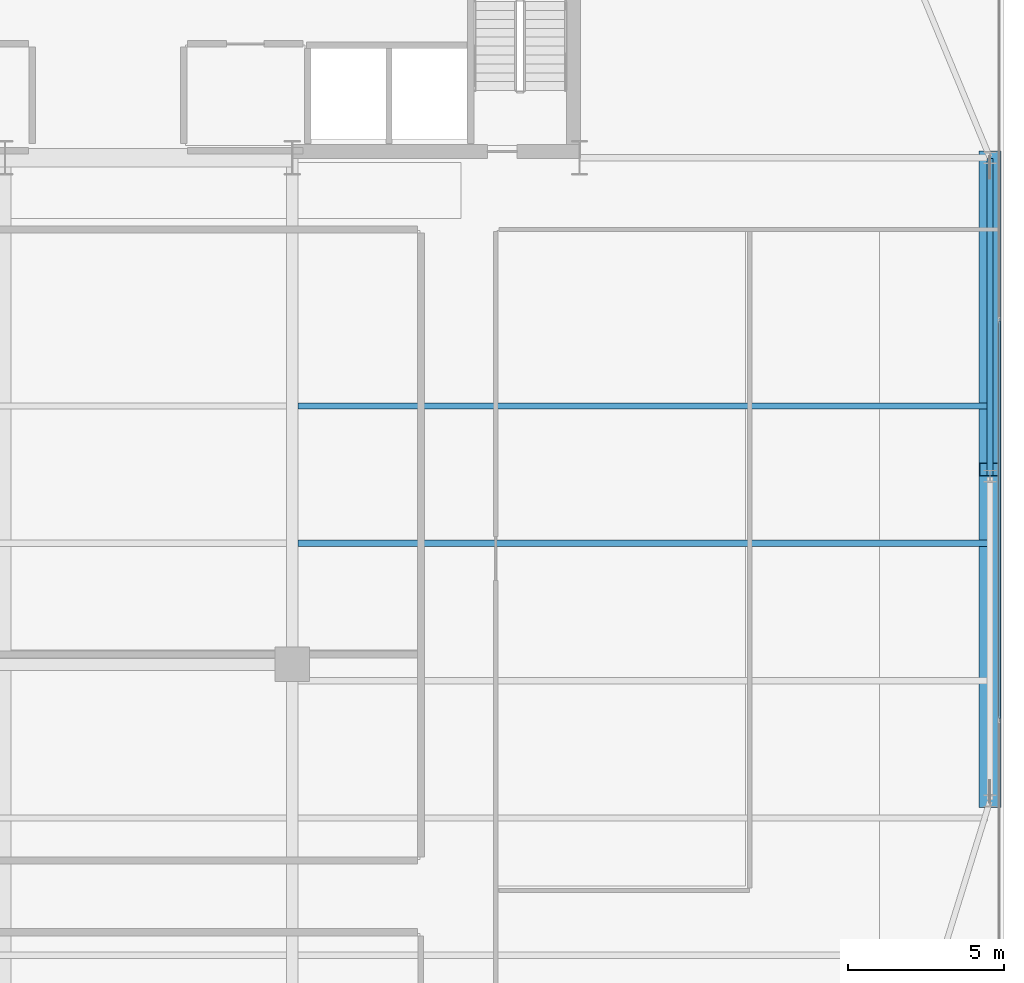
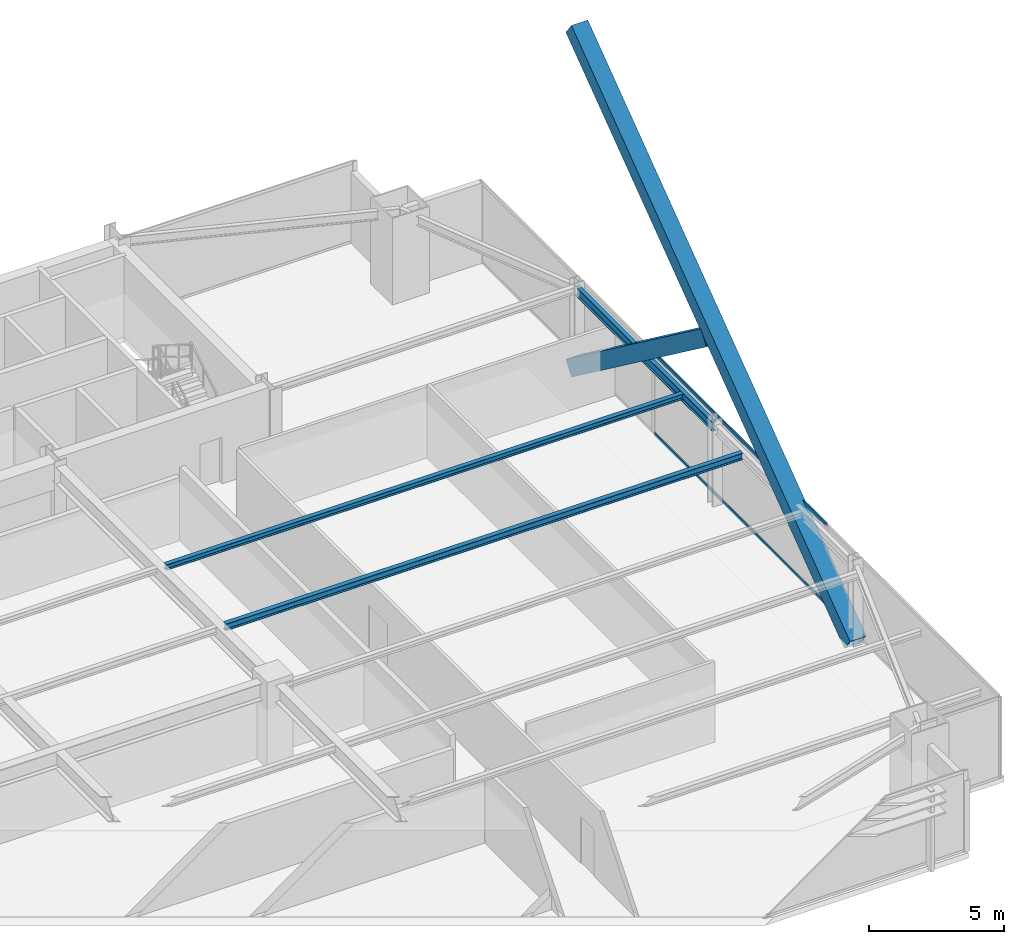
# One storey, part 18 of 32: 4 members, 3 beams, 1 element without a shape of its own.
"""IFC4 building model written with IfcOpenShell, lengths in metres."""

import ifcopenshell
import ifcopenshell.guid

model = None  # the IFC model being written
_history = None  # IfcOwnerHistory: only IFC2X3 demands one
_inside = {}  # id of a spatial element -> (the spatial element, [elements in it])
_under = {}  # id of a project, library or spatial element -> (it, [spatial elements below it])
_declared = {}  # id of a project -> (the project, [libraries it declares])
_typed = {}  # id of a type object -> (the type object, [elements of that type])
_made_of = {}  # id of a material, layer set ... -> (it, [elements and type objects made of it])


def new_model(schema):
    """Start an empty IFC model of exactly this schema.

    Asked for "IFC4X3", IfcOpenShell would pick the latest addendum, in which some entities
    have other attributes; the version numbers below select the first issue.
    IFC2X3 requires an IfcOwnerHistory on every rooted entity: one is made here for all.
    """
    global model, _history
    if schema == "IFC4X3":
        model = ifcopenshell.file(schema_version=(4, 3, 0, 0))
    else:
        model = ifcopenshell.file(schema=schema)
    _inside.clear()
    _under.clear()
    _declared.clear()
    _typed.clear()
    _made_of.clear()
    _history = None
    if model.schema == "IFC2X3":
        org = make("IfcOrganization", Name="unknown")
        user = make(
            "IfcPersonAndOrganization",
            ThePerson=make("IfcPerson", FamilyName="unknown"),
            TheOrganization=org,
        )
        app = make(
            "IfcApplication",
            ApplicationDeveloper=org,
            Version="unknown",
            ApplicationFullName="unknown",
            ApplicationIdentifier="unknown",
        )
        _history = make(
            "IfcOwnerHistory",
            OwningUser=user,
            OwningApplication=app,
            ChangeAction="ADDED",
            CreationDate=0,
        )
    return model


def make(cls, **values):
    """One entity of the class cls with the attributes given. An attribute that is None is left unset."""
    return model.create_entity(
        cls, **{name: value for name, value in values.items() if value is not None}
    )


def rooted(cls, **values):
    """An entity with a GlobalId (a new one), such as an element, a storey or a relation."""
    return make(cls, GlobalId=ifcopenshell.guid.new(), OwnerHistory=_history, **values)


def si_unit(unit_type, name, prefix=None):
    """IfcSIUnit, for example si_unit("LENGTHUNIT", "METRE", prefix="MILLI")."""
    return make("IfcSIUnit", UnitType=unit_type, Prefix=prefix, Name=name)


def assignment(units):
    """IfcUnitAssignment: the units of a project."""
    return None if units is None else make("IfcUnitAssignment", Units=units)


def point(xyz):
    """IfcCartesianPoint."""
    return None if xyz is None else make("IfcCartesianPoint", Coordinates=xyz)


def direction(xyz):
    """IfcDirection."""
    return None if xyz is None else make("IfcDirection", DirectionRatios=xyz)


def frame(location, z_axis=None, x_axis=None):
    """IfcAxis2Placement3D, a coordinate frame: its origin and axes. An axis left out is left unset."""
    return make(
        "IfcAxis2Placement3D",
        Location=point(location),
        Axis=direction(z_axis),
        RefDirection=direction(x_axis),
    )


def frame_2d(location, x_axis=None):
    """IfcAxis2Placement2D, a coordinate frame in the plane: its origin and x axis."""
    return make(
        "IfcAxis2Placement2D", Location=point(location), RefDirection=direction(x_axis)
    )


def origin():
    """The frame at (0, 0, 0) with its axes left unset."""
    return frame((0.0, 0.0, 0.0))


def origin_2d():
    """The frame at (0, 0) in the plane with its x axis left unset."""
    return frame_2d((0.0, 0.0))


def place(relative_to, where):
    """IfcLocalPlacement: puts the frame where relative to a parent placement (None: the world)."""
    return make(
        "IfcLocalPlacement", PlacementRelTo=relative_to, RelativePlacement=where
    )


def context(
    kind, dimensions, precision=None, world=None, true_north=None, identifier=None
):
    """IfcGeometricRepresentationContext, for example the 3D "Model" context."""
    return make(
        "IfcGeometricRepresentationContext",
        ContextIdentifier=identifier,
        ContextType=kind,
        CoordinateSpaceDimension=dimensions,
        Precision=precision,
        WorldCoordinateSystem=world,
        TrueNorth=true_north,
    )


def subcontext(parent, identifier, kind, view, scale=None):
    """IfcGeometricRepresentationSubContext, for example "Body" below "Model"."""
    return make(
        "IfcGeometricRepresentationSubContext",
        ContextIdentifier=identifier,
        ContextType=kind,
        ParentContext=parent,
        TargetScale=scale,
        TargetView=view,
    )


def project(units=None, contexts=None):
    """IfcProject with its units and contexts."""
    return rooted(
        "IfcProject",
        Name="project",
        RepresentationContexts=contexts,
        UnitsInContext=assignment(units),
    )


def spatial(cls, under=None, at=None, **own):
    """A site, building, storey or space (cls), placed at a placement, below another one or the project."""
    s = rooted(cls, ObjectPlacement=at, **own)
    if under is not None:
        _under.setdefault(under.id(), (under, []))[1].append(s)
    return s


def profile(cls, at=None, kind="AREA", **sizes):
    """A parametric profile (cls). Its sizes go by their IFC names, for example OverallWidth=200.0."""
    return make(cls, ProfileType=kind, Position=at, **sizes)


def hollow_rectangle(**sizes):
    """IfcRectangleHollowProfileDef."""
    return profile("IfcRectangleHollowProfileDef", **sizes)


def i_section(**sizes):
    """IfcIShapeProfileDef."""
    return profile("IfcIShapeProfileDef", **sizes)


def extrude(swept, where, along, depth):
    """IfcExtrudedAreaSolid: the profile swept, set in the frame where, extruded along a direction by depth."""
    return make(
        "IfcExtrudedAreaSolid",
        SweptArea=swept,
        Position=where,
        ExtrudedDirection=direction(along),
        Depth=depth,
    )


def shape(context_of_items, identifier, shape_type, items):
    """IfcShapeRepresentation: the items that make up one representation, for example the "Body"."""
    return make(
        "IfcShapeRepresentation",
        ContextOfItems=context_of_items,
        RepresentationIdentifier=identifier,
        RepresentationType=shape_type,
        Items=items,
    )


def source(mapping_origin, context_of_items, identifier, shape_type, items):
    """IfcRepresentationMap: a shape defined once, which mapped items show again and again."""
    return make(
        "IfcRepresentationMap",
        MappingOrigin=mapping_origin,
        MappedRepresentation=shape(context_of_items, identifier, shape_type, items),
    )


def transform(
    local_origin,
    x_axis=None,
    y_axis=None,
    z_axis=None,
    scale=None,
    scale2=None,
    scale3=None,
    uniform=True,
):
    """IfcCartesianTransformationOperator3D, or its non-uniform kind. x_axis, y_axis, z_axis: its Axis1, 2, 3."""
    if uniform:
        return make(
            "IfcCartesianTransformationOperator3D",
            Axis1=direction(x_axis),
            Axis2=direction(y_axis),
            LocalOrigin=point(local_origin),
            Scale=scale,
            Axis3=direction(z_axis),
        )
    return make(
        "IfcCartesianTransformationOperator3DnonUniform",
        Axis1=direction(x_axis),
        Axis2=direction(y_axis),
        LocalOrigin=point(local_origin),
        Scale=scale,
        Axis3=direction(z_axis),
        Scale2=scale2,
        Scale3=scale3,
    )


def mapped(mapping_source, mapping_target):
    """IfcMappedItem: shows the shape of a source again, moved by a transform."""
    return make(
        "IfcMappedItem", MappingSource=mapping_source, MappingTarget=mapping_target
    )


def material(Name=None, Category=None):
    """IfcMaterial."""
    return make("IfcMaterial", Name=Name, Category=Category)


def layer(
    of_material, thickness, ventilated=None, Name=None, Category=None, Priority=None
):
    """IfcMaterialLayer: one layer of a wall or slab, of a material (None: an air gap)."""
    return make(
        "IfcMaterialLayer",
        Material=of_material,
        LayerThickness=thickness,
        IsVentilated=ventilated,
        Name=Name,
        Category=Category,
        Priority=Priority,
    )


def layer_set(layers, Name=None):
    """IfcMaterialLayerSet."""
    return make("IfcMaterialLayerSet", MaterialLayers=layers, LayerSetName=Name)


def material_profile(
    of_material, cross_section, Name=None, Category=None, Priority=None
):
    """IfcMaterialProfile: a cross section and its material."""
    return make(
        "IfcMaterialProfile",
        Name=Name,
        Material=of_material,
        Profile=cross_section,
        Priority=Priority,
        Category=Category,
    )


def profile_set(profiles, Name=None, composite=None):
    """IfcMaterialProfileSet."""
    return make(
        "IfcMaterialProfileSet",
        Name=Name,
        MaterialProfiles=profiles,
        CompositeProfile=composite,
    )


def made_of(thing, what):
    """Note that an element or type object is made of a material, layer set ...; save() writes the relation."""
    if what is not None:
        _made_of.setdefault(what.id(), (what, []))[1].append(thing)
    return thing


def type_object(cls, material=None, **own):
    """A type object (cls), such as IfcWallType, which elements share."""
    return made_of(rooted(cls, **own), material)


def type_shapes(of_type, sources):
    """Give a type object the sources (RepresentationMaps) that its elements show as mapped items."""
    of_type.RepresentationMaps = sources


def element(
    cls,
    number,
    at=None,
    inside=None,
    cuts=None,
    type_object=None,
    material=None,
    context=None,
    identifier="Body",
    shape_type=None,
    held_by="IfcProductDefinitionShape",
    body=None,
    shapes=None,
    **own,
):
    """One element of the class cls, such as IfcWall. Its Tag is "e" and its number.

    at: its placement. inside: the storey or other place that contains it. cuts: it is an
    opening in that element (IfcRelVoidsElement). A single representation is given by context,
    identifier, shape_type and body (its items); several are given by shapes. held_by: the class
    of the entity that holds the representations. save() writes the other relations.
    """
    e = rooted(cls, Tag="e%d" % number, ObjectPlacement=at, **own)
    if body is not None:
        shapes = [shape(context, identifier, shape_type, body)]
    if shapes is not None:
        e.Representation = make(held_by, Representations=shapes)
    if inside is not None:
        _inside.setdefault(inside.id(), (inside, []))[1].append(e)
    if cuts is not None:
        rooted(
            "IfcRelVoidsElement", RelatingBuildingElement=cuts, RelatedOpeningElement=e
        )
    if type_object is not None:
        _typed.setdefault(type_object.id(), (type_object, []))[1].append(e)
    return made_of(e, material)


def aggregate(whole, parts):
    """IfcRelAggregates: a whole, such as a stair, and the parts it consists of."""
    return rooted("IfcRelAggregates", RelatingObject=whole, RelatedObjects=parts)


def save(model, path):
    """Write the relations noted so far, then the file.

    IfcRelAggregates (storeys below a building ...), IfcRelContainedInSpatialStructure (elements
    in a storey), IfcRelDefinesByType, IfcRelAssociatesMaterial and IfcRelDeclares: one each for
    every whole, place, type object, material and project.
    """
    for whole, parts in _under.values():
        aggregate(whole, parts)
    for where, things in _inside.values():
        rooted(
            "IfcRelContainedInSpatialStructure",
            RelatedElements=things,
            RelatingStructure=where,
        )
    for kind, things in _typed.values():
        rooted("IfcRelDefinesByType", RelatedObjects=things, RelatingType=kind)
    for what, things in _made_of.values():
        rooted("IfcRelAssociatesMaterial", RelatedObjects=things, RelatingMaterial=what)
    for by, libraries in _declared.values():
        rooted("IfcRelDeclares", RelatingContext=by, RelatedDefinitions=libraries)
    model.write(path)


model = new_model("IFC4")

# Units and contexts
model_context = context("Model", 3, precision=1e-05, world=origin(), true_north=direction((0.0, 1.0)))
body_context = subcontext(model_context, "Body", "Model", "MODEL_VIEW")
ifc_project = project(units=[si_unit("LENGTHUNIT", "METRE"), si_unit("AREAUNIT", "SQUARE_METRE"), si_unit("VOLUMEUNIT", "CUBIC_METRE"), si_unit("PLANEANGLEUNIT", "RADIAN"), si_unit("MASSUNIT", "GRAM", prefix="KILO")], contexts=[model_context])

# Site, building, storey
site_placement = place(None, origin())
site = spatial("IfcSite", under=ifc_project, at=site_placement, CompositionType="ELEMENT")
building_placement = place(site_placement, origin())
building = spatial("IfcBuilding", under=site, at=building_placement, Name="Varnel Quay Broadcast Tower", CompositionType="ELEMENT")
storey_placement = place(building_placement, frame((0.0, 0.0, 43.199951171875)))
storey = spatial("IfcBuildingStorey", under=building, at=storey_placement, Name="L09", CompositionType="ELEMENT", Elevation=43.199951171875)

# Beams
ifc_material_1 = material(Name="Structural Steel CSA G40.21 350W", Category="steel")
ifc_material_profile_1 = material_profile(ifc_material_1, i_section(OverallWidth=0.180908203125, OverallDepth=0.4169921875, WebThickness=0.010986328125, FlangeThickness=0.018310546875, FilletRadius=0.011962890625, at=origin_2d()), Name="W410X85")
ifc_profile_set_1 = profile_set([ifc_material_profile_1], Name="Structural Steel CSA G40.21 350W")
beam_type_1 = type_object("IfcBeamType", Name="Beam_W410X85", PredefinedType="SPANDREL", material=ifc_profile_set_1)
shared_shape_1 = source(origin(), body_context, "Body", "SweptSolid", [
    extrude(i_section(OverallWidth=0.180908203125, OverallDepth=0.4169921875, WebThickness=0.010986328125, FlangeThickness=0.018310546875, FilletRadius=0.011962890625, at=origin_2d()), origin(), (0.0, 0.0, 1.0), 10.16015625),
])
type_shapes(beam_type_1, [shared_shape_1])
beam_1_placement = place(storey_placement, frame((65.550048828125, 25.419921875, 3.441650390625), z_axis=(0.0, 1.0, 0.0), x_axis=(-1.0, 0.0, 0.0)))
element("IfcBeam", 1, at=beam_1_placement, inside=storey, type_object=beam_type_1, Name="L09 East Spandrel TC-E2-TC-E3", PredefinedType="SPANDREL", context=body_context, shape_type="MappedRepresentation", body=[
    mapped(shared_shape_1, transform((0.0, 0.0, 0.0), x_axis=(1.0, 0.0, 0.0), y_axis=(0.0, 1.0, 0.0), z_axis=(0.0, 0.0, 1.0), scale=1.0)),
])
ifc_material_profile_2 = material_profile(ifc_material_1, i_section(OverallWidth=0.202880859375, OverallDepth=0.302978515625, WebThickness=0.007568359375, FlangeThickness=0.01318359375, FilletRadius=0.011962890625, at=origin_2d()), Name="W310X60")
ifc_profile_set_2 = profile_set([ifc_material_profile_2], Name="Structural Steel CSA G40.21 350W")
beam_type_2 = type_object("IfcBeamType", Name="Beam_W310X60", PredefinedType="JOIST", material=ifc_profile_set_2)
shared_shape_2 = source(origin(), body_context, "Body", "SweptSolid", [
    extrude(i_section(OverallWidth=0.202880859375, OverallDepth=0.302978515625, WebThickness=0.007568359375, FlangeThickness=0.01318359375, FilletRadius=0.011962890625, at=origin_2d()), origin(), (0.0, 0.0, 1.0), 22.0791015625),
])
type_shapes(beam_type_2, [shared_shape_2])
beam_2_placement = place(storey_placement, frame((43.385498046875, 23.25, 3.49853515625), z_axis=(1.0, 0.0, 0.0), x_axis=(0.0, 1.0, 0.0)))
element("IfcBeam", 2, at=beam_2_placement, inside=storey, type_object=beam_type_2, Name="L09 East Floor Joist 5", PredefinedType="JOIST", context=body_context, shape_type="MappedRepresentation", body=[
    mapped(shared_shape_2, transform((0.0, 0.0, 0.0), x_axis=(1.0, 0.0, 0.0), y_axis=(0.0, 1.0, 0.0), z_axis=(0.0, 0.0, 1.0), scale=1.0)),
])
ifc_material_profile_3 = material_profile(ifc_material_1, i_section(OverallWidth=0.201904296875, OverallDepth=0.2470703125, WebThickness=0.00732421875, FlangeThickness=0.010986328125, FilletRadius=0.010986328125, at=origin_2d()), Name="W250X49")
ifc_profile_set_3 = profile_set([ifc_material_profile_3], Name="Structural Steel CSA G40.21 350W")
beam_type_3 = type_object("IfcBeamType", Name="Beam_W250X49", PredefinedType="JOIST", material=ifc_profile_set_3)
shared_shape_3 = source(origin(), body_context, "Body", "SweptSolid", [
    extrude(i_section(OverallWidth=0.201904296875, OverallDepth=0.2470703125, WebThickness=0.00732421875, FlangeThickness=0.010986328125, FilletRadius=0.010986328125, at=origin_2d()), origin(), (0.0, 0.0, 1.0), 22.0791015625),
])
type_shapes(beam_type_3, [shared_shape_3])
beam_3_placement = place(storey_placement, frame((43.385498046875, 27.64990234375, 3.526611328125), z_axis=(1.0, 0.0, 0.0), x_axis=(0.0, 1.0, 0.0)))
element("IfcBeam", 3, at=beam_3_placement, inside=storey, type_object=beam_type_3, Name="L09 East Floor Joist 6", PredefinedType="JOIST", context=body_context, shape_type="MappedRepresentation", body=[
    mapped(shared_shape_3, transform((0.0, 0.0, 0.0), x_axis=(1.0, 0.0, 0.0), y_axis=(0.0, 1.0, 0.0), z_axis=(0.0, 0.0, 1.0), scale=1.0)),
])

# Members
ifc_material_2 = material(Name="Structural Steel CSA G40.21 350WT", Category="steel")
ifc_material_profile_4 = material_profile(ifc_material_2, hollow_rectangle(XDim=0.699951171875, YDim=0.699951171875, WallThickness=0.031982421875, at=origin_2d()), Name="BOX700X700X32")
ifc_profile_set_4 = profile_set([ifc_material_profile_4], Name="Structural Steel CSA G40.21 350WT")
member_type_1 = type_object("IfcMemberType", Name="Brace_BOX700X700X32", PredefinedType="BRACE", material=ifc_profile_set_4)
shared_shape_4 = source(origin(), body_context, "Body", "SweptSolid", [
    extrude(hollow_rectangle(XDim=0.699951171875, YDim=0.699951171875, WallThickness=0.031982421875, at=origin_2d()), origin(), (0.0, 0.0, 1.0), 25.666259765625),
])
member_1_placement = place(storey_placement, frame((65.550048828125, 15.0, 0.02001953125), z_axis=(0.0, 0.802610868941, 0.596502969865), x_axis=(-1.0, 0.0, 0.0)))
element("IfcMember", 4, at=member_1_placement, inside=storey, type_object=member_type_1, Name="Zone 1 Mega-Brace E-FT2 Continuous Diag A", PredefinedType="BRACE", context=body_context, shape_type="MappedRepresentation", body=[
    mapped(shared_shape_4, transform((0.0, 0.0, 0.0), x_axis=(1.0, 0.0, 0.0), y_axis=(0.0, 1.0, 0.0), z_axis=(0.0, 0.0, 1.0), scale=1.0)),
])
shared_shape_5 = source(origin(), body_context, "Body", "SweptSolid", [
    extrude(hollow_rectangle(XDim=0.699951171875, YDim=0.699951171875, WallThickness=0.031982421875, at=origin_2d()), origin(), (0.0, 0.0, 1.0), 12.44287109375),
])
type_shapes(member_type_1, [shared_shape_4, shared_shape_5])
member_2_placement = place(storey_placement, frame((65.550048828125, 35.60009765625, 0.02001953125), z_axis=(0.0, -0.802615286682, 0.59649702563), x_axis=(1.0, 0.0, 0.0)))
element("IfcMember", 5, at=member_2_placement, inside=storey, type_object=member_type_1, Name="Zone 1 Mega-Brace E-FT2 Split Diag B1", PredefinedType="BRACE", context=body_context, shape_type="MappedRepresentation", body=[
    mapped(shared_shape_5, transform((0.0, 0.0, 0.0), x_axis=(1.0, 0.0, 0.0), y_axis=(0.0, 1.0, 0.0), z_axis=(0.0, 0.0, 1.0), scale=1.0)),
])

# Curtain wall, members
ifc_material_3 = material(Name="Anodised Bronze Aluminium 6063-T6", Category="aluminium")
ifc_layer = layer(ifc_material_3, 0.18994140625, Name="Anodised Bronze Aluminium 6063-T6")
ifc_layer_set = layer_set([ifc_layer], Name="Anodised Bronze Aluminium 6063-T6")
curtain_wall_type = type_object("IfcCurtainWallType", Name="CW_LowerTower", PredefinedType="NOTDEFINED", material=ifc_layer_set)
curtain_wall_placement = place(storey_placement, origin())
curtain_wall = element("IfcCurtainWall", 6, at=curtain_wall_placement, inside=storey, type_object=curtain_wall_type, Name="L09 East Unitised Curtain Wall", PredefinedType="NOTDEFINED")
ifc_material_profile_5 = material_profile(ifc_material_3, hollow_rectangle(XDim=0.06005859375, YDim=0.14501953125, WallThickness=0.00341796875, at=origin_2d()), Name="ALU60X145X3.5")
ifc_profile_set_5 = profile_set([ifc_material_profile_5], Name="Anodised Bronze Aluminium 6063-T6")
member_type_2 = type_object("IfcMemberType", Name="Tran_CWS-02", PredefinedType="USERDEFINED", material=ifc_profile_set_5)
shared_shape_6 = source(origin(), body_context, "Body", "SweptSolid", [
    extrude(hollow_rectangle(XDim=0.06005859375, YDim=0.14501953125, WallThickness=0.00341796875, at=origin_2d()), origin(), (0.0, 0.0, 1.0), 12.72998046875),
])
type_shapes(member_type_2, [shared_shape_6])
member_3_placement = place(storey_placement, frame((65.85009765625, 17.635009765625, 0.030029296875), z_axis=(0.0, 1.0, 0.0), x_axis=(-1.0, 0.0, 0.0)))
member_3 = element("IfcMember", 7, at=member_3_placement, type_object=member_type_2, Name="CWS-02 transom 2.1", ObjectType="TRANSOM", PredefinedType="USERDEFINED", context=body_context, shape_type="MappedRepresentation", body=[
    mapped(shared_shape_6, transform((0.0, 0.0, 0.0), x_axis=(1.0, 0.0, 0.0), y_axis=(0.0, 1.0, 0.0), z_axis=(0.0, 0.0, 1.0), scale=1.0)),
])
member_4_placement = place(storey_placement, frame((65.85009765625, 17.635009765625, 3.6201171875), z_axis=(0.0, 1.0, 0.0), x_axis=(-1.0, 0.0, 0.0)))
member_4 = element("IfcMember", 8, at=member_4_placement, type_object=member_type_2, Name="CWS-02 transom 2.2", ObjectType="TRANSOM", PredefinedType="USERDEFINED", context=body_context, shape_type="MappedRepresentation", body=[
    mapped(shared_shape_6, transform((0.0, 0.0, 0.0), x_axis=(1.0, 0.0, 0.0), y_axis=(0.0, 1.0, 0.0), z_axis=(0.0, 0.0, 1.0), scale=1.0)),
])
aggregate(curtain_wall, [member_3, member_4])

save(model, "model.ifc")
